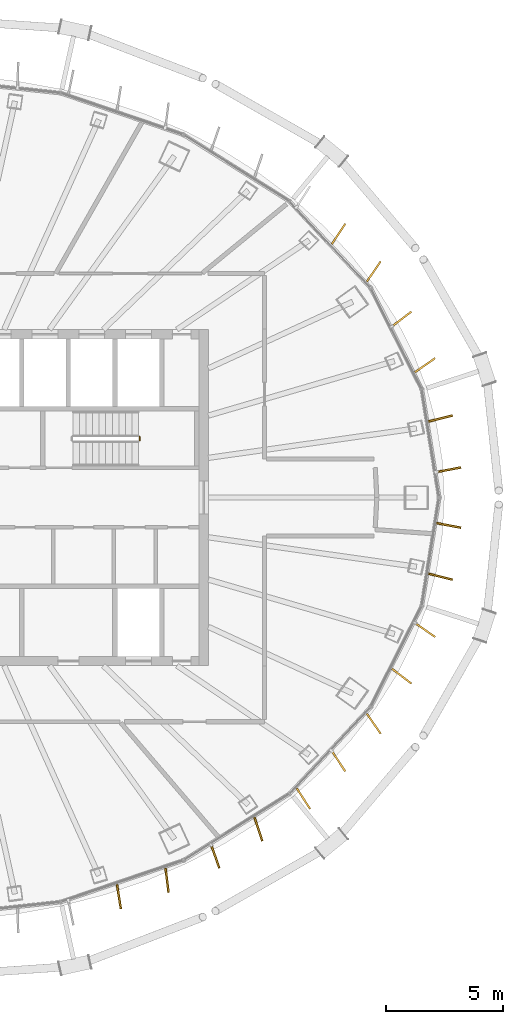
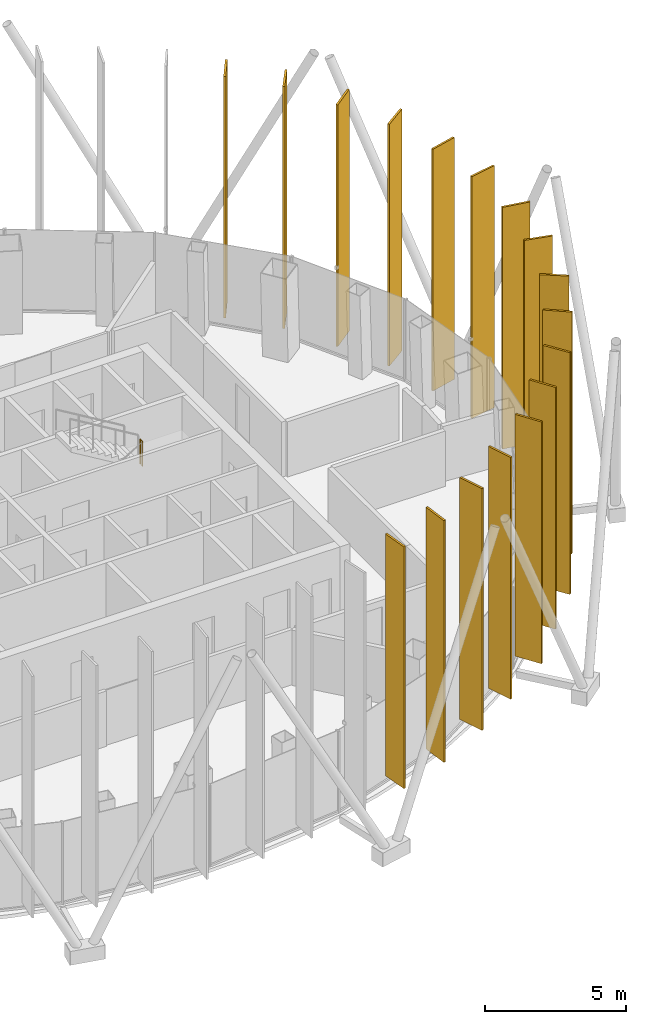
# One storey, part 18 of 19: 17 shading devices, 1 railing.
"""IFC4 building model written with IfcOpenShell, lengths in metres."""

from ifc_helpers import new_model, si_unit, direction, frame, origin, origin_2d, place, context, subcontext, project, spatial, rectangle, circle, extrude, material, layer, layer_set, type_object, element, save


model = new_model("IFC4")

# Units and contexts
model_context = context("Model", 3, precision=1e-05, world=origin(), true_north=direction((0.0, 1.0)))
body_context = subcontext(model_context, "Body", "Model", "MODEL_VIEW")
ifc_project = project(units=[si_unit("LENGTHUNIT", "METRE"), si_unit("AREAUNIT", "SQUARE_METRE"), si_unit("VOLUMEUNIT", "CUBIC_METRE"), si_unit("PLANEANGLEUNIT", "RADIAN"), si_unit("MASSUNIT", "GRAM", prefix="KILO")], contexts=[model_context])

# Site, building, storey
site_placement = place(None, origin())
site = spatial("IfcSite", under=ifc_project, at=site_placement, CompositionType="ELEMENT")
building_placement = place(site_placement, origin())
building = spatial("IfcBuilding", under=site, at=building_placement, Name="Siaravel Broadcast Tower", CompositionType="ELEMENT")
storey_placement = place(building_placement, frame((0.0, 0.0, 217.10009765625)))
storey = spatial("IfcBuildingStorey", under=building, at=storey_placement, Name="L52", CompositionType="ELEMENT", Elevation=217.10009765625)

# Shading devices
ifc_material_1 = material(Name="Bronze anodised aluminium", Category="aluminium")
ifc_layer = layer(ifc_material_1, 0.080078125)
ifc_layer_set = layer_set([ifc_layer], Name="Bronze anodised aluminium")
shading_device_type = type_object("IfcShadingDeviceType", Name="Bronze fin zone 4", PredefinedType="USERDEFINED", material=ifc_layer_set)
for number, where, z_axis, x_axis, name in (
    (1, (22.294921875, 1.1923828125, 0.2998046875), (0.0, 0.0, 1.0), (0.982190643, 0.187887042, 0.0), "Bronze fin L52-01"),
    (2, (21.940185546875, 3.388427734375, 0.2998046875), (0.0, 0.0, 1.0), (0.969632166, 0.24456791, 0.0), "Bronze fin L52-02"),
    (3, (21.279052734375, 5.671875, 0.2998046875), (0.0, 0.0, 1.0), (0.82093898, 0.571015929, 0.0), "Bronze fin L52-03"),
    (4, (20.275634765625, 7.648193359375, 0.2998046875), (0.0, 0.0, 1.0), (0.795425884, 0.606050875, 0.0), "Bronze fin L52-04"),
    (5, (19.080078125, 9.68408203125, 0.2998046875), (0.0, 0.0, 1.0), (0.566667992, 0.823946228, 0.0), "Bronze fin L52-05"),
    (6, (17.571533203125, 11.29150390625, 0.2998046875), (0.0, 0.0, 1.0), (0.549830714, 0.835276114, 0.0), "Bronze fin L52-06"),
    (7, (8.1650390625, -17.094970703125, 0.2998046875), (0.0, 0.0, 1.0), (0.157970218, -0.987443877, 0.0), "Bronze fin L52-47"),
    (8, (10.2255859375, -16.392333984375, 0.2998046875), (0.0, 0.0, 1.0), (0.125568723, -0.992084924, 0.0), "Bronze fin L52-48"),
    (9, (12.289306640625, -15.371337890625, 0.2998046875), (0.0, 0.0, 1.0), (0.329188036, -0.944264389, 0.0), "Bronze fin L52-49"),
    (10, (14.1396484375, -14.206298828125, 0.2998046875), (0.0, 0.0, 1.0), (0.315175353, -0.949033454, 0.0), "Bronze fin L52-50"),
    (11, (16.06787109375, -12.89501953125, 0.2998046875), (0.0, 0.0, 1.0), (0.542884266, -0.839807522, 0.0), "Bronze fin L52-51"),
    (12, (17.571533203125, -11.29150390625, 0.2998046875), (0.0, 0.0, 1.0), (0.549830714, -0.835276114, 0.0), "Bronze fin L52-52"),
    (13, (19.080078125, -9.68408203125, 0.2998046875), (0.0, 0.0, 1.0), (0.566667992, -0.823946228, 0.0), "Bronze fin L52-53"),
    (14, (20.275634765625, -7.648193359375, 0.2998046875), (0.0, 0.0, 1.0), (0.795425884, -0.606050875, 0.0), "Bronze fin L52-54"),
    (15, (21.279052734375, -5.671875, 0.2998046875), (0.0, 0.0, 1.0), (0.82093898, -0.571015929, 0.0), "Bronze fin L52-55"),
    (16, (21.940185546875, -3.388427734375, 0.2998046875), (0.0, 0.0, 1.0), (0.969632166, -0.24456791, 0.0), "Bronze fin L52-56"),
    (17, (22.294921875, -1.1923828125, 0.2998046875), (0.0, 0.0, 1.0), (0.982190643, -0.187887042, 0.0), "Bronze fin L52-57"),
):
    element("IfcShadingDevice", number, at=place(storey_placement, frame(where, z_axis=z_axis, x_axis=x_axis)), inside=storey, type_object=shading_device_type, Name=name, ObjectType="FIN", PredefinedType="USERDEFINED", context=body_context, shape_type="SweptSolid", body=[
        extrude(rectangle(XDim=1.050048828125, YDim=0.080078125, at=origin_2d()), origin(), (0.0, 0.0, 1.0), 10.5),
    ])

# Railing
ifc_material_2 = material(Name="Stainless steel 316L", Category="steel")
railing_type = type_object("IfcRailingType", Name="Stair guard 1100", PredefinedType="GUARDRAIL", material=ifc_material_2)
railing_placement = place(storey_placement, frame((9.050048828125, 2.449951171875, 1.849853515625)))
element("IfcRailing", 18, at=railing_placement, inside=storey, type_object=railing_type, Name="L52 ST-2 stair guard 2", PredefinedType="GUARDRAIL", context=body_context, shape_type="SweptSolid", body=[
    extrude(circle(Radius=0.02392578125, at=origin_2d()), frame((0.0, 0.0, 1.076171875), z_axis=(0.0, 1.0, 0.0), x_axis=(-1.0, 0.0, 0.0)), (0.0, 0.0, 1.0), 0.150146484375),
    extrude(circle(Radius=0.02099609375, at=origin_2d()), origin(), (0.0, 0.0, 1.0), 1.052001953125),
    extrude(circle(Radius=0.02099609375, at=origin_2d()), frame((0.0, 0.150146484375, 0.0)), (0.0, 0.0, 1.0), 1.052001953125),
])

save(model, "model.ifc")
